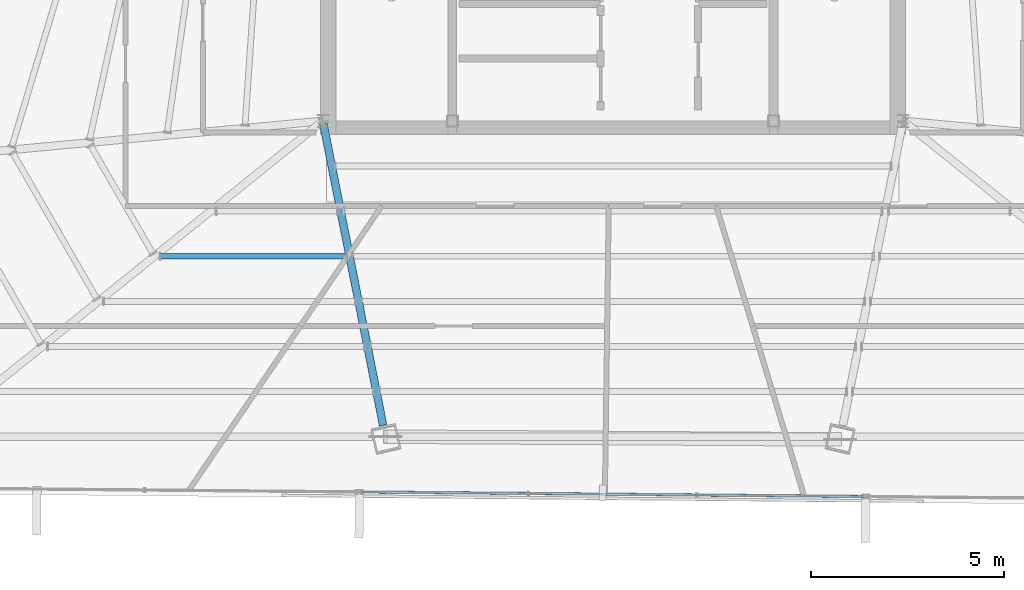
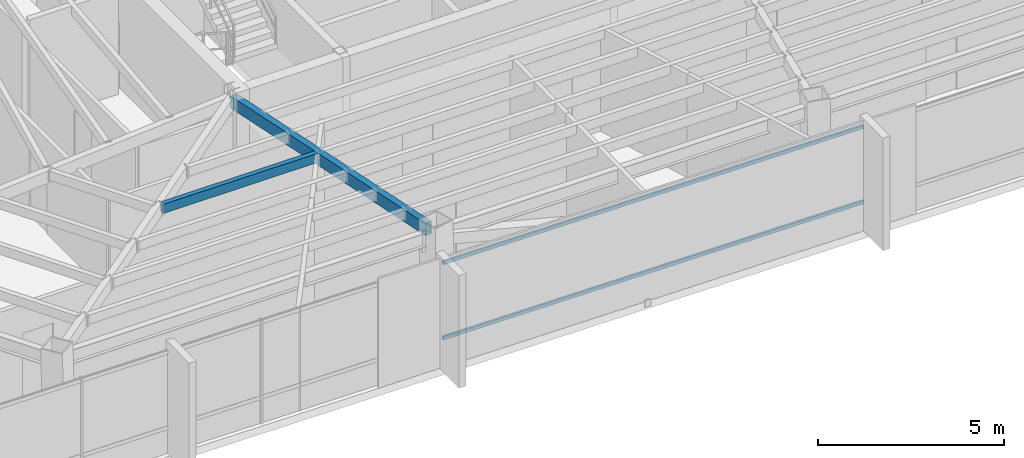
# One storey, part 12 of 47: 2 beams, 2 members, 1 element without a shape of its own.
"""IFC4 building model written with IfcOpenShell, lengths in metres."""

from ifc_helpers import new_model, si_unit, direction, frame, origin, origin_2d, place, context, subcontext, project, spatial, hollow_rectangle, extrude, source, transform, mapped, material, material_profile, profile_set, type_object, type_shapes, element, aggregate, save


model = new_model("IFC4")

# Units and contexts
model_context = context("Model", 3, precision=1e-05, world=origin(), true_north=direction((0.0, 1.0)))
body_context = subcontext(model_context, "Body", "Model", "MODEL_VIEW")
ifc_project = project(units=[si_unit("LENGTHUNIT", "METRE"), si_unit("AREAUNIT", "SQUARE_METRE"), si_unit("VOLUMEUNIT", "CUBIC_METRE"), si_unit("PLANEANGLEUNIT", "RADIAN"), si_unit("MASSUNIT", "GRAM", prefix="KILO")], contexts=[model_context])

# Site, building, storey
site_placement = place(None, origin())
site = spatial("IfcSite", under=ifc_project, at=site_placement, CompositionType="ELEMENT")
building_placement = place(site_placement, origin())
building = spatial("IfcBuilding", under=site, at=building_placement, Name="Caelisora Broadcast Tower", CompositionType="ELEMENT")
storey_placement = place(building_placement, frame((0.0, 0.0, 248.10009765625)))
storey = spatial("IfcBuildingStorey", under=building, at=storey_placement, Name="L65", CompositionType="ELEMENT", Elevation=248.10009765625)

# Beams
ifc_material_1 = material(Name="Steel Grade 350 (AS/NZS 1163 C350L0)", Category="steel")
ifc_material_profile_1 = material_profile(ifc_material_1, hollow_rectangle(XDim=0.199951171875, YDim=0.39990234375, WallThickness=0.012451171875, at=origin_2d()), Name="Steel Grade 350 (AS/NZS 1163 C350L0)")
ifc_profile_set_1 = profile_set([ifc_material_profile_1], Name="Steel Grade 350 (AS/NZS 1163 C350L0)")
beam_type_1 = type_object("IfcBeamType", Name="PG07", PredefinedType="BEAM", material=ifc_profile_set_1)
shared_shape_1 = source(origin(), body_context, "Body", "SweptSolid", [
    extrude(hollow_rectangle(XDim=0.199951171875, YDim=0.39990234375, WallThickness=0.012451171875, at=origin_2d()), origin(), (0.0, 0.0, 1.0), 7.960693359375),
])
type_shapes(beam_type_1, [shared_shape_1])
beam_1_placement = place(storey_placement, frame((30.51171875, 17.341064453125, 3.199951171875), z_axis=(0.194281611338, -0.980945796411, 0.0), x_axis=(0.980945796411, 0.194281611338, 0.0)))
element("IfcBeam", 1, at=beam_1_placement, inside=storey, type_object=beam_type_1, Name="L65 beam PG07", PredefinedType="BEAM", context=body_context, shape_type="MappedRepresentation", body=[
    mapped(shared_shape_1, transform((0.0, 0.0, 0.0), scale=1.0)),
])
ifc_material_profile_2 = material_profile(ifc_material_1, hollow_rectangle(XDim=0.14990234375, YDim=0.300048828125, WallThickness=0.010009765625, at=origin_2d()), Name="Steel Grade 350 (AS/NZS 1163 C350L0)")
ifc_profile_set_2 = profile_set([ifc_material_profile_2], Name="Steel Grade 350 (AS/NZS 1163 C350L0)")
beam_type_2 = type_object("IfcBeamType", Name="SB05", PredefinedType="JOIST", material=ifc_profile_set_2)
shared_shape_2 = source(origin(), body_context, "Body", "SweptSolid", [
    extrude(hollow_rectangle(XDim=0.14990234375, YDim=0.300048828125, WallThickness=0.010009765625, at=origin_2d()), origin(), (0.0, 0.0, 1.0), 4.78759765625),
])
type_shapes(beam_type_2, [shared_shape_2])
beam_2_placement = place(storey_placement, frame((26.30615234375, 13.90283203125, 3.25), z_axis=(1.0, 0.0, 0.0), x_axis=(0.0, 1.0, 0.0)))
element("IfcBeam", 2, at=beam_2_placement, inside=storey, type_object=beam_type_2, Name="L65 beam SB05", PredefinedType="JOIST", context=body_context, shape_type="MappedRepresentation", body=[
    mapped(shared_shape_2, transform((0.0, 0.0, 0.0), scale=1.0)),
])

# Curtain wall, members
ifc_material_2 = material(Name="Unitised Aluminium Insulated Shadow-Box Spandrel Curtain Wall", Category="aluminium")
curtain_wall_type = type_object("IfcCurtainWallType", Name="CW-SP3", PredefinedType="NOTDEFINED", material=ifc_material_2)
curtain_wall_placement = place(storey_placement, origin())
curtain_wall = element("IfcCurtainWall", 3, at=curtain_wall_placement, inside=storey, type_object=curtain_wall_type, Name="L65 curtain wall CW-SP3", PredefinedType="NOTDEFINED")
ifc_material_3 = material(Name="Aluminium 6063-T6 Anodised Terracotta Bronze", Category="aluminium")
ifc_material_profile_3 = material_profile(ifc_material_3, hollow_rectangle(XDim=0.06005859375, YDim=0.1201171875, WallThickness=0.0029296875, at=origin_2d()), Name="Aluminium 6063-T6 Anodised Terracotta Bronze")
ifc_profile_set_3 = profile_set([ifc_material_profile_3], Name="Aluminium 6063-T6 Anodised Terracotta Bronze")
member_type = type_object("IfcMemberType", Name="CWT-03", PredefinedType="USERDEFINED", material=ifc_profile_set_3)
shared_shape_3 = source(origin(), body_context, "Body", "SweptSolid", [
    extrude(hollow_rectangle(XDim=0.06005859375, YDim=0.1201171875, WallThickness=0.0029296875, at=origin_2d()), origin(), (0.0, 0.0, 1.0), 12.974365234375),
])
type_shapes(member_type, [shared_shape_3])
member_1_placement = place(storey_placement, frame((44.47412109375, 7.693603515625, 0.849853515625), z_axis=(-0.999959208802, 0.009032205269, 0.0), x_axis=(-0.009032205269, -0.999959208802, 0.0)))
member_1 = element("IfcMember", 4, at=member_1_placement, type_object=member_type, Name="L65-CW-B06 transom #1", ObjectType="TRANSOM", PredefinedType="USERDEFINED", context=body_context, shape_type="MappedRepresentation", body=[
    mapped(shared_shape_3, transform((0.0, 0.0, 0.0), scale=1.0)),
])
member_2_placement = place(storey_placement, frame((44.47412109375, 7.693603515625, 3.31982421875), z_axis=(-0.999959208802, 0.009032205269, 0.0), x_axis=(-0.009032205269, -0.999959208802, 0.0)))
member_2 = element("IfcMember", 5, at=member_2_placement, type_object=member_type, Name="L65-CW-B06 transom #2", ObjectType="TRANSOM", PredefinedType="USERDEFINED", context=body_context, shape_type="MappedRepresentation", body=[
    mapped(shared_shape_3, transform((0.0, 0.0, 0.0), scale=1.0)),
])
aggregate(curtain_wall, [member_1, member_2])

save(model, "model.ifc")
